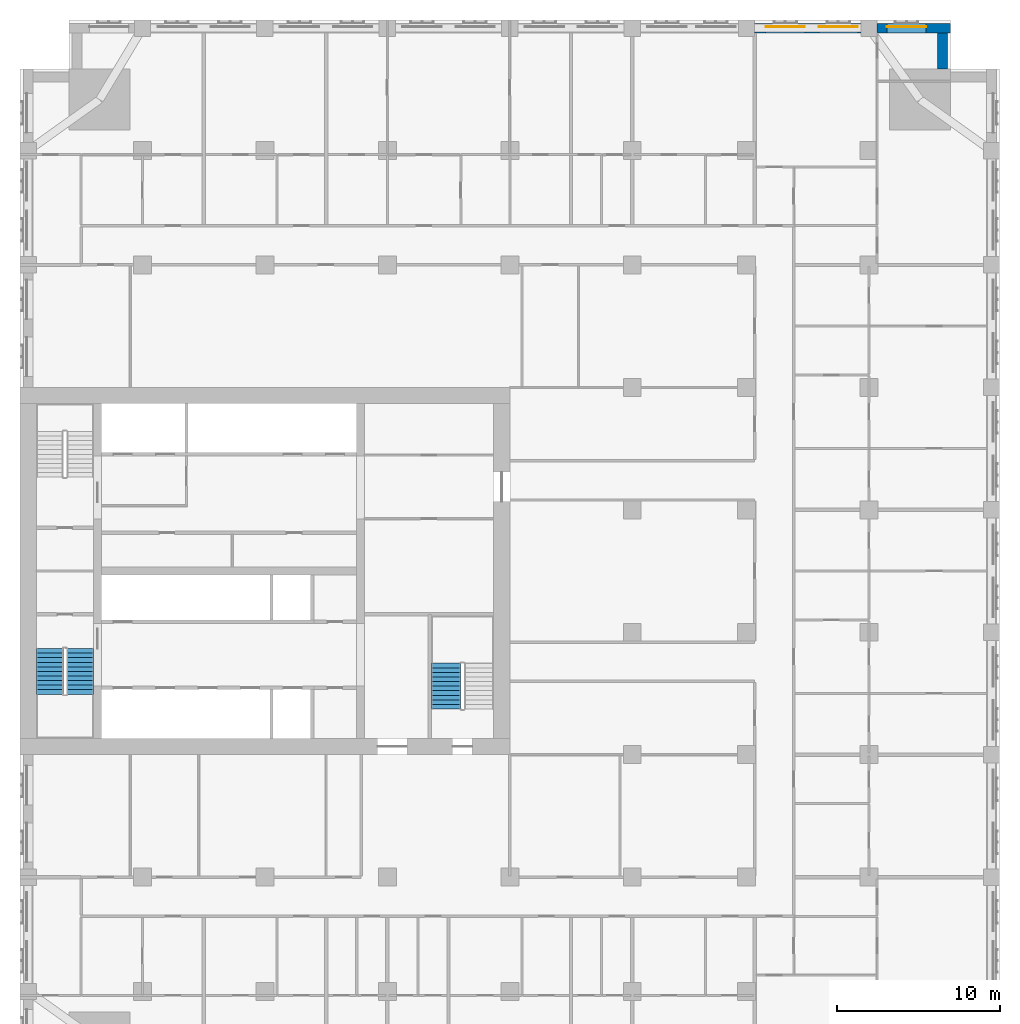
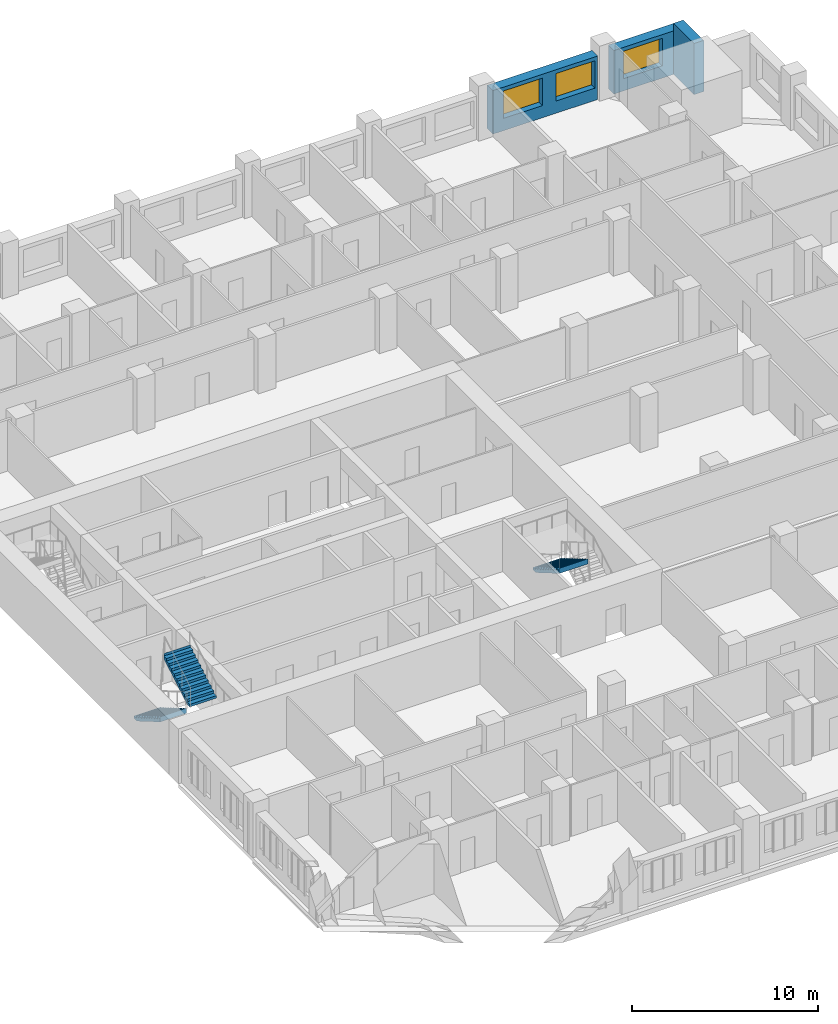
# One storey, part 12 of 14: 3 stair flights, 3 walls, 3 windows, 3 openings, 2 elements without a shape of their own.
"""IFC4 building model written with IfcOpenShell, lengths in metres."""

from ifc_helpers import new_model, si_unit, direction, frame, frame_2d, origin, place, context, subcontext, project, spatial, polyline, rectangle, outline, extrude, material, layer, layer_set, type_object, element, fill, aggregate, save


model = new_model("IFC4")

# Units and contexts
model_context = context("Model", 3, precision=1e-05, world=origin(), true_north=direction((0.0, 1.0)))
body_context = subcontext(model_context, "Body", "Model", "MODEL_VIEW")
ifc_project = project(units=[si_unit("LENGTHUNIT", "METRE"), si_unit("AREAUNIT", "SQUARE_METRE"), si_unit("VOLUMEUNIT", "CUBIC_METRE"), si_unit("PLANEANGLEUNIT", "RADIAN"), si_unit("MASSUNIT", "GRAM", prefix="KILO")], contexts=[model_context])

# Site, building, storey
site_placement = place(None, origin())
site = spatial("IfcSite", under=ifc_project, at=site_placement, CompositionType="ELEMENT")
building_placement = place(site_placement, origin())
building = spatial("IfcBuilding", under=site, at=building_placement, Name="Tamorin Gate", CompositionType="ELEMENT")
storey_placement = place(building_placement, frame((0.0, 0.0, 89.89990234375)))
storey = spatial("IfcBuildingStorey", under=building, at=storey_placement, Name="L21", CompositionType="ELEMENT", Elevation=89.89990234375)

# Wall
ifc_material_1 = material(Name="Precast concrete C40/50", Category="concrete")
ifc_layer = layer(ifc_material_1, 0.60009765625)
ifc_layer_set = layer_set([ifc_layer], Name="Precast concrete C40/50")
wall_type = type_object("IfcWallType", Name="Board-marked concrete facade panel 600", PredefinedType="SOLIDWALL", material=ifc_layer_set)
wall_1_placement = place(storey_placement, frame((86.5, 102.0, 0.0), z_axis=(0.0, 0.0, 1.0), x_axis=(0.0, 1.0, 0.0)))
element("IfcWall", 1, at=wall_1_placement, inside=storey, type_object=wall_type, Name="Facade panel", PredefinedType="SOLIDWALL", context=body_context, shape_type="SweptSolid", body=[
    extrude(rectangle(XDim=2.199951171875, YDim=0.60009765625, at=frame_2d((1.10009765625, 0.0))), origin(), (0.0, 0.0, 1.0), 3.35009765625),
])

# Wall, opening, window
wall_2_placement = place(storey_placement, frame((87.0, 104.5, 0.0), z_axis=(0.0, 0.0, 1.0), x_axis=(-1.0, 0.0, 0.0)))
wall_2 = element("IfcWall", 2, at=wall_2_placement, inside=storey, type_object=wall_type, Name="Facade panel", PredefinedType="SOLIDWALL", context=body_context, shape_type="SweptSolid", body=[
    extrude(rectangle(XDim=4.5, YDim=0.60009765625, at=frame_2d((2.25, 0.0))), origin(), (0.0, 0.0, 1.0), 2.85009765625),
])
opening_1_placement = place(wall_2_placement, frame((1.5, 0.0, 0.800048828125)))
opening_1 = element("IfcOpeningElement", 3, at=opening_1_placement, cuts=wall_2, Name="Opening WN1", PredefinedType="OPENING", context=body_context, shape_type="SweptSolid", body=[
    extrude(rectangle(XDim=2.39990234375, YDim=1.800048828125, at=frame_2d((1.199951171875, 0.89990234375))), frame((0.0, 0.31005859375, 0.0), z_axis=(0.0, -1.0, 0.0), x_axis=(1.0, 0.0, 0.0)), (0.0, 0.0, 1.0), 0.6201171875),
])
ifc_material_2 = material(Name="Clear glass in aluminium frame", Category="aluminium")
window_type = type_object("IfcWindowType", Name="Deep-set window 2400x1800", PartitioningType="SINGLE_PANEL", PredefinedType="WINDOW", material=ifc_material_2)
window_1_placement = place(opening_1_placement, origin())
window_1 = element("IfcWindow", 4, at=window_1_placement, inside=storey, type_object=window_type, Name="Deep-set window", OverallHeight=1.800048828125, OverallWidth=2.39990234375, PartitioningType="SINGLE_PANEL", PredefinedType="WINDOW", context=body_context, shape_type="SweptSolid", body=[
    extrude(rectangle(XDim=2.39990234375, YDim=1.800048828125, at=frame_2d((1.199951171875, 0.89990234375))), frame((0.0, -0.070068359375, 0.0), z_axis=(0.0, -1.0, 0.0), x_axis=(1.0, 0.0, 0.0)), (0.0, 0.0, 1.0), 0.06005859375),
])
fill(opening_1, window_1)

# Wall, openings, windows
wall_3_placement = place(storey_placement, frame((81.5, 104.5, 0.0), z_axis=(0.0, 0.0, 1.0), x_axis=(-1.0, 0.0, 0.0)))
wall_3 = element("IfcWall", 5, at=wall_3_placement, inside=storey, type_object=wall_type, Name="Facade panel", PredefinedType="SOLIDWALL", context=body_context, shape_type="SweptSolid", body=[
    extrude(rectangle(XDim=6.5, YDim=0.60009765625, at=frame_2d((3.25, 0.0))), origin(), (0.0, 0.0, 1.0), 2.85009765625),
])
opening_2_placement = place(wall_3_placement, frame((3.425048828125, 0.0, 0.800048828125)))
opening_2 = element("IfcOpeningElement", 6, at=opening_2_placement, cuts=wall_3, Name="Opening WN1", PredefinedType="OPENING", context=body_context, shape_type="SweptSolid", body=[
    extrude(rectangle(XDim=2.39990234375, YDim=1.800048828125, at=frame_2d((1.199951171875, 0.89990234375))), frame((0.0, 0.31005859375, 0.0), z_axis=(0.0, -1.0, 0.0), x_axis=(1.0, 0.0, 0.0)), (0.0, 0.0, 1.0), 0.6201171875),
])
opening_3_placement = place(wall_3_placement, frame((0.175048828125, 0.0, 0.800048828125)))
opening_3 = element("IfcOpeningElement", 7, at=opening_3_placement, cuts=wall_3, Name="Opening WN1", PredefinedType="OPENING", context=body_context, shape_type="SweptSolid", body=[
    extrude(rectangle(XDim=2.39990234375, YDim=1.800048828125, at=frame_2d((1.199951171875, 0.89990234375))), frame((0.0, 0.31005859375, 0.0), z_axis=(0.0, -1.0, 0.0), x_axis=(1.0, 0.0, 0.0)), (0.0, 0.0, 1.0), 0.6201171875),
])
window_2_placement = place(opening_2_placement, origin())
window_2 = element("IfcWindow", 8, at=window_2_placement, inside=storey, type_object=window_type, Name="Deep-set window", OverallHeight=1.800048828125, OverallWidth=2.39990234375, PartitioningType="SINGLE_PANEL", PredefinedType="WINDOW", context=body_context, shape_type="SweptSolid", body=[
    extrude(rectangle(XDim=2.39990234375, YDim=1.800048828125, at=frame_2d((1.199951171875, 0.89990234375))), frame((0.0, -0.070068359375, 0.0), z_axis=(0.0, -1.0, 0.0), x_axis=(1.0, 0.0, 0.0)), (0.0, 0.0, 1.0), 0.06005859375),
])
fill(opening_2, window_2)
window_3_placement = place(opening_3_placement, origin())
window_3 = element("IfcWindow", 9, at=window_3_placement, inside=storey, type_object=window_type, Name="Deep-set window", OverallHeight=1.800048828125, OverallWidth=2.39990234375, PartitioningType="SINGLE_PANEL", PredefinedType="WINDOW", context=body_context, shape_type="SweptSolid", body=[
    extrude(rectangle(XDim=2.39990234375, YDim=1.800048828125, at=frame_2d((1.199951171875, 0.89990234375))), frame((0.0, -0.070068359375, 0.0), z_axis=(0.0, -1.0, 0.0), x_axis=(1.0, 0.0, 0.0)), (0.0, 0.0, 1.0), 0.06005859375),
])
fill(opening_3, window_3)

# Stair, stair flights
ifc_material_3 = material(Name="Concrete C40/50", Category="concrete")
stair_type = type_object("IfcStairType", Name="Exit stair", PredefinedType="HALF_TURN_STAIR", material=ifc_material_3)
stair_1_placement = place(storey_placement, origin())
stair_1 = element("IfcStair", 10, at=stair_1_placement, inside=storey, type_object=stair_type, Name="L21 stair ST1", PredefinedType="HALF_TURN_STAIR")
stair_flight_type = type_object("IfcStairFlightType", Name="Exit stair flight", PredefinedType="STRAIGHT", material=ifc_material_3)
stair_flight_1_placement = place(storey_placement, frame((31.824951171875, 66.5, 0.0), z_axis=(0.0, 0.0, 1.0), x_axis=(0.0, -1.0, 0.0)))
stair_flight_1 = element("IfcStairFlight", 11, at=stair_flight_1_placement, type_object=stair_flight_type, Name="ST1 flight 1", NumberOfRisers=11, NumberOfTreads=10, PredefinedType="STRAIGHT", RiserHeight=0.163636364, TreadLength=0.28, context=body_context, shape_type="SweptSolid", body=[
    extrude(outline(polyline([(-0.00048828125, 0.0), (-0.00048828125, 0.001708984375), (-0.00048828125, 0.003173828125), (-0.00048828125, 0.0048828125), (-0.00048828125, 0.006591796875), (-0.00048828125, 0.008056640625), (-0.00048828125, 0.009765625), (-0.00048828125, 0.01123046875), (-0.00048828125, 0.012939453125), (-0.00048828125, 0.0146484375), (-0.00048828125, 0.01611328125), (-0.00048828125, 0.017822265625), (-0.00048828125, 0.01953125), (-0.00048828125, 0.02099609375), (-0.00048828125, 0.022705078125), (-0.00048828125, 0.0244140625), (-0.00048828125, 0.02587890625), (-0.00048828125, 0.027587890625), (-0.00048828125, 0.029052734375), (-0.00048828125, 0.03076171875), (-0.00048828125, 0.032470703125), (-0.00048828125, 0.033935546875), (-0.00048828125, 0.03564453125), (-0.00048828125, 0.037353515625), (-0.00048828125, 0.038818359375), (-0.00048828125, 0.04052734375), (-0.00048828125, 0.042236328125), (-0.00048828125, 0.043701171875), (-0.00048828125, 0.04541015625), (-0.00048828125, 0.046875), (-0.00048828125, 0.048583984375), (-0.00048828125, 0.05029296875), (-0.00048828125, 0.0517578125), (-0.00048828125, 0.053466796875), (-0.00048828125, 0.05517578125), (-0.00048828125, 0.056640625), (-0.00048828125, 0.058349609375), (-0.00048828125, 0.06005859375), (-0.00048828125, 0.0615234375), (-0.00048828125, 0.063232421875), (-0.00048828125, 0.064697265625), (-0.00048828125, 0.06640625), (-0.00048828125, 0.068115234375), (-0.00048828125, 0.069580078125), (-0.00048828125, 0.0712890625), (-0.00048828125, 0.072998046875), (-0.00048828125, 0.074462890625), (-0.00048828125, 0.076171875), (-0.00048828125, 0.077880859375), (-0.00048828125, 0.079345703125), (-0.00048828125, 0.0810546875), (-0.00048828125, 0.08251953125), (-0.00048828125, 0.084228515625), (-0.00048828125, 0.0859375), (-0.00048828125, 0.08740234375), (-0.00048828125, 0.089111328125), (-0.00048828125, 0.0908203125), (-0.00048828125, 0.09228515625), (-0.00048828125, 0.093994140625), (-0.00048828125, 0.095703125), (-0.00048828125, 0.09716796875), (-0.00048828125, 0.098876953125), (-0.00048828125, 0.100341796875), (-0.00048828125, 0.10205078125), (-0.00048828125, 0.103759765625), (-0.00048828125, 0.105224609375), (-0.00048828125, 0.10693359375), (-0.00048828125, 0.108642578125), (-0.00048828125, 0.110107421875), (-0.00048828125, 0.11181640625), (-0.00048828125, 0.113525390625), (-0.00048828125, 0.114990234375), (-0.00048828125, 0.11669921875), (-0.00048828125, 0.1181640625), (-0.00048828125, 0.119873046875), (-0.00048828125, 0.12158203125), (-0.00048828125, 0.123046875), (-0.00048828125, 0.124755859375), (-0.00048828125, 0.12646484375), (-0.00048828125, 0.1279296875), (-0.00048828125, 0.129638671875), (-0.00048828125, 0.13134765625), (-0.00048828125, 0.1328125), (-0.00048828125, 0.134521484375), (-0.00048828125, 0.135986328125), (-0.00048828125, 0.1376953125), (-0.00048828125, 0.139404296875), (-0.00048828125, 0.140869140625), (-0.00048828125, 0.142578125), (-0.00048828125, 0.144287109375), (-0.00048828125, 0.145751953125), (-0.00048828125, 0.1474609375), (-0.00048828125, 0.149169921875), (-0.00048828125, 0.150634765625), (-0.00048828125, 0.15234375), (-0.00048828125, 0.15380859375), (-0.00048828125, 0.155517578125), (-0.00048828125, 0.1572265625), (-0.00048828125, 0.15869140625), (-0.00048828125, 0.160400390625), (-0.00048828125, 0.162109375), (-0.00048828125, 0.16357421875), (0.280029296875, 0.16357421875), (0.280029296875, 0.327392578125), (0.56005859375, 0.327392578125), (0.56005859375, 0.490966796875), (0.840087890625, 0.490966796875), (0.840087890625, 0.654541015625), (1.1201171875, 0.654541015625), (1.1201171875, 0.818115234375), (1.39990234375, 0.818115234375), (1.39990234375, 0.98193359375), (1.679931640625, 0.98193359375), (1.679931640625, 1.1455078125), (1.9599609375, 1.1455078125), (1.9599609375, 1.30908203125), (2.239990234375, 1.30908203125), (2.239990234375, 1.47265625), (2.52001953125, 1.47265625), (2.52001953125, 1.636474609375), (2.800048828125, 1.636474609375), (2.800048828125, 1.800048828125), (2.800537109375, 1.800048828125), (2.800537109375, 1.796630859375), (2.800537109375, 1.793212890625), (2.800537109375, 1.7900390625), (2.800537109375, 1.78662109375), (2.800537109375, 1.783203125), (2.800537109375, 1.780029296875), (2.800537109375, 1.776611328125), (2.800537109375, 1.773193359375), (2.800537109375, 1.77001953125), (2.800537109375, 1.7666015625), (2.800537109375, 1.76318359375), (2.800537109375, 1.760009765625), (2.800537109375, 1.756591796875), (2.800537109375, 1.753173828125), (2.800537109375, 1.75), (2.800537109375, 1.74658203125), (2.800537109375, 1.7431640625), (2.800537109375, 1.739990234375), (2.800537109375, 1.736572265625), (2.800537109375, 1.733154296875), (2.800537109375, 1.72998046875), (2.800537109375, 1.7265625), (2.800537109375, 1.72314453125), (2.800537109375, 1.719970703125), (2.800537109375, 1.716552734375), (2.800537109375, 1.713134765625), (2.800537109375, 1.7099609375), (2.800537109375, 1.70654296875), (2.800537109375, 1.703125), (2.800537109375, 1.69970703125), (2.800537109375, 1.696533203125), (2.800537109375, 1.693115234375), (2.800537109375, 1.689697265625), (2.800537109375, 1.6865234375), (2.800537109375, 1.68310546875), (2.800537109375, 1.6796875), (2.800537109375, 1.676513671875), (2.800537109375, 1.673095703125), (2.800537109375, 1.669677734375), (2.800537109375, 1.66650390625), (2.800537109375, 1.6630859375), (2.800537109375, 1.65966796875), (2.800537109375, 1.656494140625), (2.800537109375, 1.653076171875), (2.800537109375, 1.649658203125), (2.800537109375, 1.646484375), (2.800537109375, 1.64306640625), (2.800537109375, 1.6396484375), (2.800537109375, 1.636474609375), (2.800537109375, 1.633056640625), (2.800537109375, 1.629638671875), (2.800537109375, 1.62646484375), (2.800537109375, 1.623046875), (2.800537109375, 1.61962890625), (2.800537109375, 1.616455078125), (2.800537109375, 1.613037109375), (2.800537109375, 1.609619140625), (2.800537109375, 1.6064453125), (2.800537109375, 1.60302734375), (2.800537109375, 1.599609375), (2.800537109375, 1.59619140625), (2.800537109375, 1.593017578125), (2.800537109375, 1.589599609375), (2.800537109375, 1.586181640625), (2.800537109375, 1.5830078125), (2.800537109375, 1.57958984375), (2.800537109375, 1.576171875), (2.800537109375, 1.572998046875), (2.800537109375, 1.569580078125), (2.800537109375, 1.566162109375), (2.800537109375, 1.56298828125), (2.800537109375, 1.5595703125), (2.800537109375, 1.55615234375), (2.800537109375, 1.552978515625), (2.800537109375, 1.549560546875), (2.800537109375, 1.546142578125), (2.800537109375, 1.54296875), (2.800537109375, 1.53955078125), (2.800537109375, 1.5361328125), (2.800537109375, 1.532958984375), (2.800537109375, 1.529541015625), (2.800537109375, 1.526123046875), (2.800537109375, 1.52294921875), (2.800537109375, 1.51953125), (2.800537109375, 1.51611328125), (2.800537109375, 1.512939453125), (2.800537109375, 1.509521484375), (2.800537109375, 1.506103515625), (2.800537109375, 1.5029296875), (2.800537109375, 1.49951171875), (2.800537109375, 1.49609375), (2.800537109375, 1.49267578125), (2.800537109375, 1.489501953125), (2.800537109375, 1.486083984375), (2.800537109375, 1.482666015625), (2.800537109375, 1.4794921875), (2.800537109375, 1.47607421875), (2.800537109375, 1.47265625), (2.800537109375, 1.469482421875), (2.800537109375, 1.466064453125), (2.800537109375, 1.462646484375), (2.800048828125, 1.462646484375), (0.297119140625, 0.0), (-0.00048828125, 0.0)])), frame((0.0, 0.824951171875, 0.0), z_axis=(0.0, -1.0, 0.0), x_axis=(1.0, 0.0, 0.0)), (0.0, 0.0, 1.0), 1.64990234375),
])
stair_flight_2_placement = place(storey_placement, frame((33.675048828125, 63.699951171875, 1.800048828125), z_axis=(0.0, 0.0, 1.0), x_axis=(0.0, 1.0, 0.0)))
stair_flight_2 = element("IfcStairFlight", 12, at=stair_flight_2_placement, type_object=stair_flight_type, Name="ST1 flight 2", NumberOfRisers=11, NumberOfTreads=10, PredefinedType="STRAIGHT", RiserHeight=0.163636364, TreadLength=0.28, context=body_context, shape_type="SweptSolid", body=[
    extrude(outline(polyline([(-0.00048828125, 0.0), (-0.00048828125, 0.001708984375), (-0.00048828125, 0.003173828125), (-0.00048828125, 0.0048828125), (-0.00048828125, 0.006591796875), (-0.00048828125, 0.008056640625), (-0.00048828125, 0.009765625), (-0.00048828125, 0.01123046875), (-0.00048828125, 0.012939453125), (-0.00048828125, 0.0146484375), (-0.00048828125, 0.01611328125), (-0.00048828125, 0.017822265625), (-0.00048828125, 0.01953125), (-0.00048828125, 0.02099609375), (-0.00048828125, 0.022705078125), (-0.00048828125, 0.0244140625), (-0.00048828125, 0.02587890625), (-0.00048828125, 0.027587890625), (-0.00048828125, 0.029052734375), (-0.00048828125, 0.03076171875), (-0.00048828125, 0.032470703125), (-0.00048828125, 0.033935546875), (-0.00048828125, 0.03564453125), (-0.00048828125, 0.037353515625), (-0.00048828125, 0.038818359375), (-0.00048828125, 0.04052734375), (-0.00048828125, 0.042236328125), (-0.00048828125, 0.043701171875), (-0.00048828125, 0.04541015625), (-0.00048828125, 0.046875), (-0.00048828125, 0.048583984375), (-0.00048828125, 0.05029296875), (-0.00048828125, 0.0517578125), (-0.00048828125, 0.053466796875), (-0.00048828125, 0.05517578125), (-0.00048828125, 0.056640625), (-0.00048828125, 0.058349609375), (-0.00048828125, 0.06005859375), (-0.00048828125, 0.0615234375), (-0.00048828125, 0.063232421875), (-0.00048828125, 0.064697265625), (-0.00048828125, 0.06640625), (-0.00048828125, 0.068115234375), (-0.00048828125, 0.069580078125), (-0.00048828125, 0.0712890625), (-0.00048828125, 0.072998046875), (-0.00048828125, 0.074462890625), (-0.00048828125, 0.076171875), (-0.00048828125, 0.077880859375), (-0.00048828125, 0.079345703125), (-0.00048828125, 0.0810546875), (-0.00048828125, 0.08251953125), (-0.00048828125, 0.084228515625), (-0.00048828125, 0.0859375), (-0.00048828125, 0.08740234375), (-0.00048828125, 0.089111328125), (-0.00048828125, 0.0908203125), (-0.00048828125, 0.09228515625), (-0.00048828125, 0.093994140625), (-0.00048828125, 0.095703125), (-0.00048828125, 0.09716796875), (-0.00048828125, 0.098876953125), (-0.00048828125, 0.100341796875), (-0.00048828125, 0.10205078125), (-0.00048828125, 0.103759765625), (-0.00048828125, 0.105224609375), (-0.00048828125, 0.10693359375), (-0.00048828125, 0.108642578125), (-0.00048828125, 0.110107421875), (-0.00048828125, 0.11181640625), (-0.00048828125, 0.113525390625), (-0.00048828125, 0.114990234375), (-0.00048828125, 0.11669921875), (-0.00048828125, 0.1181640625), (-0.00048828125, 0.119873046875), (-0.00048828125, 0.12158203125), (-0.00048828125, 0.123046875), (-0.00048828125, 0.124755859375), (-0.00048828125, 0.12646484375), (-0.00048828125, 0.1279296875), (-0.00048828125, 0.129638671875), (-0.00048828125, 0.13134765625), (-0.00048828125, 0.1328125), (-0.00048828125, 0.134521484375), (-0.00048828125, 0.135986328125), (-0.00048828125, 0.1376953125), (-0.00048828125, 0.139404296875), (-0.00048828125, 0.140869140625), (-0.00048828125, 0.142578125), (-0.00048828125, 0.144287109375), (-0.00048828125, 0.145751953125), (-0.00048828125, 0.1474609375), (-0.00048828125, 0.149169921875), (-0.00048828125, 0.150634765625), (-0.00048828125, 0.15234375), (-0.00048828125, 0.15380859375), (-0.00048828125, 0.155517578125), (-0.00048828125, 0.1572265625), (-0.00048828125, 0.15869140625), (-0.00048828125, 0.160400390625), (-0.00048828125, 0.162109375), (-0.00048828125, 0.16357421875), (0.280029296875, 0.16357421875), (0.280029296875, 0.327392578125), (0.56005859375, 0.327392578125), (0.56005859375, 0.490966796875), (0.840087890625, 0.490966796875), (0.840087890625, 0.654541015625), (1.1201171875, 0.654541015625), (1.1201171875, 0.818115234375), (1.39990234375, 0.818115234375), (1.39990234375, 0.98193359375), (1.679931640625, 0.98193359375), (1.679931640625, 1.1455078125), (1.9599609375, 1.1455078125), (1.9599609375, 1.30908203125), (2.239990234375, 1.30908203125), (2.239990234375, 1.47265625), (2.52001953125, 1.47265625), (2.52001953125, 1.636474609375), (2.800048828125, 1.636474609375), (2.800048828125, 1.800048828125), (2.800537109375, 1.800048828125), (2.800537109375, 1.796630859375), (2.800537109375, 1.793212890625), (2.800537109375, 1.7900390625), (2.800537109375, 1.78662109375), (2.800537109375, 1.783203125), (2.800537109375, 1.780029296875), (2.800537109375, 1.776611328125), (2.800537109375, 1.773193359375), (2.800537109375, 1.77001953125), (2.800537109375, 1.7666015625), (2.800537109375, 1.76318359375), (2.800537109375, 1.760009765625), (2.800537109375, 1.756591796875), (2.800537109375, 1.753173828125), (2.800537109375, 1.75), (2.800537109375, 1.74658203125), (2.800537109375, 1.7431640625), (2.800537109375, 1.739990234375), (2.800537109375, 1.736572265625), (2.800537109375, 1.733154296875), (2.800537109375, 1.72998046875), (2.800537109375, 1.7265625), (2.800537109375, 1.72314453125), (2.800537109375, 1.719970703125), (2.800537109375, 1.716552734375), (2.800537109375, 1.713134765625), (2.800537109375, 1.7099609375), (2.800537109375, 1.70654296875), (2.800537109375, 1.703125), (2.800537109375, 1.69970703125), (2.800537109375, 1.696533203125), (2.800537109375, 1.693115234375), (2.800537109375, 1.689697265625), (2.800537109375, 1.6865234375), (2.800537109375, 1.68310546875), (2.800537109375, 1.6796875), (2.800537109375, 1.676513671875), (2.800537109375, 1.673095703125), (2.800537109375, 1.669677734375), (2.800537109375, 1.66650390625), (2.800537109375, 1.6630859375), (2.800537109375, 1.65966796875), (2.800537109375, 1.656494140625), (2.800537109375, 1.653076171875), (2.800537109375, 1.649658203125), (2.800537109375, 1.646484375), (2.800537109375, 1.64306640625), (2.800537109375, 1.6396484375), (2.800537109375, 1.636474609375), (2.800537109375, 1.633056640625), (2.800537109375, 1.629638671875), (2.800537109375, 1.62646484375), (2.800537109375, 1.623046875), (2.800537109375, 1.61962890625), (2.800537109375, 1.616455078125), (2.800537109375, 1.613037109375), (2.800537109375, 1.609619140625), (2.800537109375, 1.6064453125), (2.800537109375, 1.60302734375), (2.800537109375, 1.599609375), (2.800537109375, 1.59619140625), (2.800537109375, 1.593017578125), (2.800537109375, 1.589599609375), (2.800537109375, 1.586181640625), (2.800537109375, 1.5830078125), (2.800537109375, 1.57958984375), (2.800537109375, 1.576171875), (2.800537109375, 1.572998046875), (2.800537109375, 1.569580078125), (2.800537109375, 1.566162109375), (2.800537109375, 1.56298828125), (2.800537109375, 1.5595703125), (2.800537109375, 1.55615234375), (2.800537109375, 1.552978515625), (2.800537109375, 1.549560546875), (2.800537109375, 1.546142578125), (2.800537109375, 1.54296875), (2.800537109375, 1.53955078125), (2.800537109375, 1.5361328125), (2.800537109375, 1.532958984375), (2.800537109375, 1.529541015625), (2.800537109375, 1.526123046875), (2.800537109375, 1.52294921875), (2.800537109375, 1.51953125), (2.800537109375, 1.51611328125), (2.800537109375, 1.512939453125), (2.800537109375, 1.509521484375), (2.800537109375, 1.506103515625), (2.800537109375, 1.5029296875), (2.800537109375, 1.49951171875), (2.800537109375, 1.49609375), (2.800537109375, 1.49267578125), (2.800537109375, 1.489501953125), (2.800537109375, 1.486083984375), (2.800537109375, 1.482666015625), (2.800537109375, 1.4794921875), (2.800537109375, 1.47607421875), (2.800537109375, 1.47265625), (2.800537109375, 1.469482421875), (2.800537109375, 1.466064453125), (2.800537109375, 1.462646484375), (2.800048828125, 1.462646484375), (0.297119140625, 0.0), (-0.00048828125, 0.0)])), frame((0.0, 0.824951171875, 0.0), z_axis=(0.0, -1.0, 0.0), x_axis=(1.0, 0.0, 0.0)), (0.0, 0.0, 1.0), 1.64990234375),
])
aggregate(stair_1, [stair_flight_1, stair_flight_2])

# Stair, stair flight
stair_2_placement = place(storey_placement, origin())
stair_2 = element("IfcStair", 13, at=stair_2_placement, inside=storey, type_object=stair_type, Name="L21 stair ST3", PredefinedType="HALF_TURN_STAIR")
stair_flight_3_placement = place(storey_placement, frame((56.10009765625, 65.60009765625, 1.800048828125), z_axis=(0.0, 0.0, 1.0), x_axis=(0.0, -1.0, 0.0)))
stair_flight_3 = element("IfcStairFlight", 14, at=stair_flight_3_placement, type_object=stair_flight_type, Name="ST3 flight 2", NumberOfRisers=11, NumberOfTreads=10, PredefinedType="STRAIGHT", RiserHeight=0.163636364, TreadLength=0.28, context=body_context, shape_type="SweptSolid", body=[
    extrude(outline(polyline([(-0.00048828125, 0.0), (-0.00048828125, 0.001708984375), (-0.00048828125, 0.003173828125), (-0.00048828125, 0.0048828125), (-0.00048828125, 0.006591796875), (-0.00048828125, 0.008056640625), (-0.00048828125, 0.009765625), (-0.00048828125, 0.01123046875), (-0.00048828125, 0.012939453125), (-0.00048828125, 0.0146484375), (-0.00048828125, 0.01611328125), (-0.00048828125, 0.017822265625), (-0.00048828125, 0.01953125), (-0.00048828125, 0.02099609375), (-0.00048828125, 0.022705078125), (-0.00048828125, 0.0244140625), (-0.00048828125, 0.02587890625), (-0.00048828125, 0.027587890625), (-0.00048828125, 0.029052734375), (-0.00048828125, 0.03076171875), (-0.00048828125, 0.032470703125), (-0.00048828125, 0.033935546875), (-0.00048828125, 0.03564453125), (-0.00048828125, 0.037353515625), (-0.00048828125, 0.038818359375), (-0.00048828125, 0.04052734375), (-0.00048828125, 0.042236328125), (-0.00048828125, 0.043701171875), (-0.00048828125, 0.04541015625), (-0.00048828125, 0.046875), (-0.00048828125, 0.048583984375), (-0.00048828125, 0.05029296875), (-0.00048828125, 0.0517578125), (-0.00048828125, 0.053466796875), (-0.00048828125, 0.05517578125), (-0.00048828125, 0.056640625), (-0.00048828125, 0.058349609375), (-0.00048828125, 0.06005859375), (-0.00048828125, 0.0615234375), (-0.00048828125, 0.063232421875), (-0.00048828125, 0.064697265625), (-0.00048828125, 0.06640625), (-0.00048828125, 0.068115234375), (-0.00048828125, 0.069580078125), (-0.00048828125, 0.0712890625), (-0.00048828125, 0.072998046875), (-0.00048828125, 0.074462890625), (-0.00048828125, 0.076171875), (-0.00048828125, 0.077880859375), (-0.00048828125, 0.079345703125), (-0.00048828125, 0.0810546875), (-0.00048828125, 0.08251953125), (-0.00048828125, 0.084228515625), (-0.00048828125, 0.0859375), (-0.00048828125, 0.08740234375), (-0.00048828125, 0.089111328125), (-0.00048828125, 0.0908203125), (-0.00048828125, 0.09228515625), (-0.00048828125, 0.093994140625), (-0.00048828125, 0.095703125), (-0.00048828125, 0.09716796875), (-0.00048828125, 0.098876953125), (-0.00048828125, 0.100341796875), (-0.00048828125, 0.10205078125), (-0.00048828125, 0.103759765625), (-0.00048828125, 0.105224609375), (-0.00048828125, 0.10693359375), (-0.00048828125, 0.108642578125), (-0.00048828125, 0.110107421875), (-0.00048828125, 0.11181640625), (-0.00048828125, 0.113525390625), (-0.00048828125, 0.114990234375), (-0.00048828125, 0.11669921875), (-0.00048828125, 0.1181640625), (-0.00048828125, 0.119873046875), (-0.00048828125, 0.12158203125), (-0.00048828125, 0.123046875), (-0.00048828125, 0.124755859375), (-0.00048828125, 0.12646484375), (-0.00048828125, 0.1279296875), (-0.00048828125, 0.129638671875), (-0.00048828125, 0.13134765625), (-0.00048828125, 0.1328125), (-0.00048828125, 0.134521484375), (-0.00048828125, 0.135986328125), (-0.00048828125, 0.1376953125), (-0.00048828125, 0.139404296875), (-0.00048828125, 0.140869140625), (-0.00048828125, 0.142578125), (-0.00048828125, 0.144287109375), (-0.00048828125, 0.145751953125), (-0.00048828125, 0.1474609375), (-0.00048828125, 0.149169921875), (-0.00048828125, 0.150634765625), (-0.00048828125, 0.15234375), (-0.00048828125, 0.15380859375), (-0.00048828125, 0.155517578125), (-0.00048828125, 0.1572265625), (-0.00048828125, 0.15869140625), (-0.00048828125, 0.160400390625), (-0.00048828125, 0.162109375), (-0.00048828125, 0.16357421875), (0.280029296875, 0.16357421875), (0.280029296875, 0.327392578125), (0.56005859375, 0.327392578125), (0.56005859375, 0.490966796875), (0.840087890625, 0.490966796875), (0.840087890625, 0.654541015625), (1.1201171875, 0.654541015625), (1.1201171875, 0.818115234375), (1.39990234375, 0.818115234375), (1.39990234375, 0.98193359375), (1.679931640625, 0.98193359375), (1.679931640625, 1.1455078125), (1.9599609375, 1.1455078125), (1.9599609375, 1.30908203125), (2.239990234375, 1.30908203125), (2.239990234375, 1.47265625), (2.52001953125, 1.47265625), (2.52001953125, 1.636474609375), (2.800048828125, 1.636474609375), (2.800048828125, 1.800048828125), (2.800537109375, 1.800048828125), (2.800537109375, 1.796630859375), (2.800537109375, 1.793212890625), (2.800537109375, 1.7900390625), (2.800537109375, 1.78662109375), (2.800537109375, 1.783203125), (2.800537109375, 1.780029296875), (2.800537109375, 1.776611328125), (2.800537109375, 1.773193359375), (2.800537109375, 1.77001953125), (2.800537109375, 1.7666015625), (2.800537109375, 1.76318359375), (2.800537109375, 1.760009765625), (2.800537109375, 1.756591796875), (2.800537109375, 1.753173828125), (2.800537109375, 1.75), (2.800537109375, 1.74658203125), (2.800537109375, 1.7431640625), (2.800537109375, 1.739990234375), (2.800537109375, 1.736572265625), (2.800537109375, 1.733154296875), (2.800537109375, 1.72998046875), (2.800537109375, 1.7265625), (2.800537109375, 1.72314453125), (2.800537109375, 1.719970703125), (2.800537109375, 1.716552734375), (2.800537109375, 1.713134765625), (2.800537109375, 1.7099609375), (2.800537109375, 1.70654296875), (2.800537109375, 1.703125), (2.800537109375, 1.69970703125), (2.800537109375, 1.696533203125), (2.800537109375, 1.693115234375), (2.800537109375, 1.689697265625), (2.800537109375, 1.6865234375), (2.800537109375, 1.68310546875), (2.800537109375, 1.6796875), (2.800537109375, 1.676513671875), (2.800537109375, 1.673095703125), (2.800537109375, 1.669677734375), (2.800537109375, 1.66650390625), (2.800537109375, 1.6630859375), (2.800537109375, 1.65966796875), (2.800537109375, 1.656494140625), (2.800537109375, 1.653076171875), (2.800537109375, 1.649658203125), (2.800537109375, 1.646484375), (2.800537109375, 1.64306640625), (2.800537109375, 1.6396484375), (2.800537109375, 1.636474609375), (2.800537109375, 1.633056640625), (2.800537109375, 1.629638671875), (2.800537109375, 1.62646484375), (2.800537109375, 1.623046875), (2.800537109375, 1.61962890625), (2.800537109375, 1.616455078125), (2.800537109375, 1.613037109375), (2.800537109375, 1.609619140625), (2.800537109375, 1.6064453125), (2.800537109375, 1.60302734375), (2.800537109375, 1.599609375), (2.800537109375, 1.59619140625), (2.800537109375, 1.593017578125), (2.800537109375, 1.589599609375), (2.800537109375, 1.586181640625), (2.800537109375, 1.5830078125), (2.800537109375, 1.57958984375), (2.800537109375, 1.576171875), (2.800537109375, 1.572998046875), (2.800537109375, 1.569580078125), (2.800537109375, 1.566162109375), (2.800537109375, 1.56298828125), (2.800537109375, 1.5595703125), (2.800537109375, 1.55615234375), (2.800537109375, 1.552978515625), (2.800537109375, 1.549560546875), (2.800537109375, 1.546142578125), (2.800537109375, 1.54296875), (2.800537109375, 1.53955078125), (2.800537109375, 1.5361328125), (2.800537109375, 1.532958984375), (2.800537109375, 1.529541015625), (2.800537109375, 1.526123046875), (2.800537109375, 1.52294921875), (2.800537109375, 1.51953125), (2.800537109375, 1.51611328125), (2.800537109375, 1.512939453125), (2.800537109375, 1.509521484375), (2.800537109375, 1.506103515625), (2.800537109375, 1.5029296875), (2.800537109375, 1.49951171875), (2.800537109375, 1.49609375), (2.800537109375, 1.49267578125), (2.800537109375, 1.489501953125), (2.800537109375, 1.486083984375), (2.800537109375, 1.482666015625), (2.800537109375, 1.4794921875), (2.800537109375, 1.47607421875), (2.800537109375, 1.47265625), (2.800537109375, 1.469482421875), (2.800537109375, 1.466064453125), (2.800537109375, 1.462646484375), (2.800048828125, 1.462646484375), (0.297119140625, 0.0), (-0.00048828125, 0.0)])), frame((0.0, 0.89990234375, 0.0), z_axis=(0.0, -1.0, 0.0), x_axis=(1.0, 0.0, 0.0)), (0.0, 0.0, 1.0), 1.800048828125),
])
aggregate(stair_2, [stair_flight_3])

save(model, "model.ifc")
